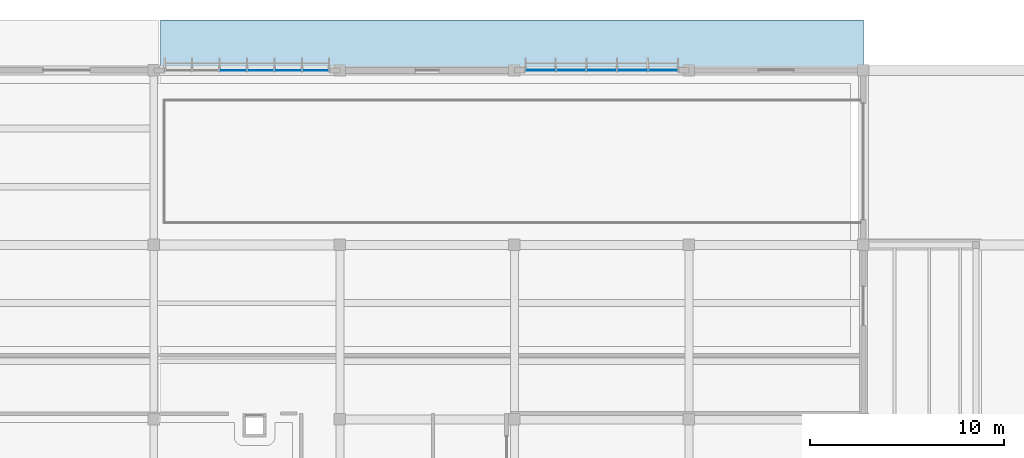
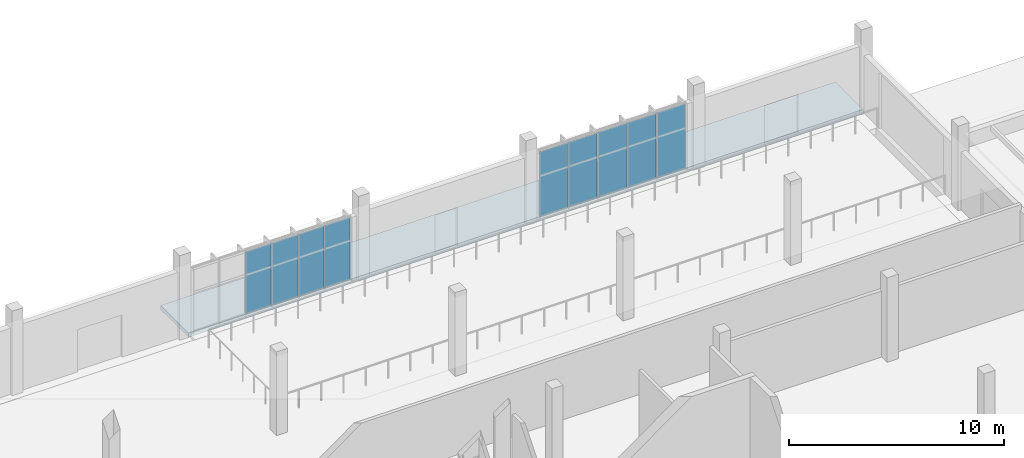
# One storey, part 113 of 151: 9 plates, 1 slab, 2 elements without a shape of their own.
"""IFC4 building model written with IfcOpenShell, lengths in metres."""

from ifc_helpers import new_model, si_unit, direction, frame, origin, origin_2d, place, context, subcontext, project, spatial, polyline, rectangle, outline, extrude, material, layer, layer_set, type_object, element, aggregate, save


model = new_model("IFC4")

# Units and contexts
model_context = context("Model", 3, precision=1e-05, world=origin(), true_north=direction((0.0, 1.0)))
body_context = subcontext(model_context, "Body", "Model", "MODEL_VIEW")
ifc_project = project(units=[si_unit("LENGTHUNIT", "METRE"), si_unit("AREAUNIT", "SQUARE_METRE"), si_unit("VOLUMEUNIT", "CUBIC_METRE"), si_unit("PLANEANGLEUNIT", "RADIAN"), si_unit("MASSUNIT", "GRAM", prefix="KILO")], contexts=[model_context])

# Site, building, storey
site_placement = place(None, origin())
site = spatial("IfcSite", under=ifc_project, at=site_placement, CompositionType="ELEMENT")
building_placement = place(site_placement, origin())
building = spatial("IfcBuilding", under=site, at=building_placement, Name="Chiffa Square Polytechnic", CompositionType="ELEMENT")
storey_placement = place(building_placement, origin())
storey = spatial("IfcBuildingStorey", under=building, at=storey_placement, Name="L00", CompositionType="ELEMENT", Elevation=0.0)

# Curtain wall, plates
ifc_material_1 = material(Name="Aluminium EN AW-6060 T66 and glulam shading", Category="wood")
curtain_wall_type_1 = type_object("IfcCurtainWallType", Name="CW-VERT-540X440", PredefinedType="USERDEFINED", material=ifc_material_1)
curtain_wall_1_placement = place(storey_placement, origin())
curtain_wall_1 = element("IfcCurtainWall", 1, at=curtain_wall_1_placement, inside=storey, type_object=curtain_wall_type_1, Name="Curtain wall CW-V5-L00-191", ObjectType="CURTAIN WALL", PredefinedType="USERDEFINED")
ifc_material_2 = material(Name="Double glazing", Category="glass")
ifc_layer_1 = layer(ifc_material_2, 0.0458984375, Name="Double glazing")
ifc_layer_set_1 = layer_set([ifc_layer_1], Name="Double glazing")
plate_type_1 = type_object("IfcPlateType", Name="CWP-GLZ-128X106", PredefinedType="CURTAIN_PANEL", material=ifc_layer_set_1)
plate_1_placement = place(storey_placement, frame((137.85693359375, 130.800048828125, 0.04931640625), z_axis=(0.0, 0.0, 1.0), x_axis=(-1.0, 0.0, 0.0)))
plate_1 = element("IfcPlate", 2, at=plate_1_placement, type_object=plate_type_1, Name="Glazed curtain panel CW-V5-L00-191-PN01", PredefinedType="CURTAIN_PANEL", context=body_context, shape_type="SweptSolid", body=[
    extrude(rectangle(XDim=1.510009765625, YDim=0.0458984375, at=origin_2d()), origin(), (0.0, 0.0, 1.0), 3.655029296875),
])
plate_2_placement = place(storey_placement, frame((136.283935546875, 130.800048828125, 0.04931640625), z_axis=(0.0, 0.0, 1.0), x_axis=(-1.0, 0.0, 0.0)))
plate_2 = element("IfcPlate", 3, at=plate_2_placement, type_object=plate_type_1, Name="Glazed curtain panel CW-V5-L00-191-PN02", PredefinedType="CURTAIN_PANEL", context=body_context, shape_type="SweptSolid", body=[
    extrude(rectangle(XDim=1.531982421875, YDim=0.0458984375, at=origin_2d()), origin(), (0.0, 0.0, 1.0), 3.655029296875),
])
plate_3_placement = place(storey_placement, frame((134.699951171875, 130.800048828125, 0.04931640625), z_axis=(0.0, 0.0, 1.0), x_axis=(-1.0, 0.0, 0.0)))
plate_3 = element("IfcPlate", 4, at=plate_3_placement, type_object=plate_type_1, Name="Glazed curtain panel CW-V5-L00-191-PN03", PredefinedType="CURTAIN_PANEL", context=body_context, shape_type="SweptSolid", body=[
    extrude(rectangle(XDim=1.531982421875, YDim=0.0458984375, at=origin_2d()), origin(), (0.0, 0.0, 1.0), 3.655029296875),
])
plate_4_placement = place(storey_placement, frame((133.115966796875, 130.800048828125, 0.04931640625), z_axis=(0.0, 0.0, 1.0), x_axis=(-1.0, 0.0, 0.0)))
plate_4 = element("IfcPlate", 5, at=plate_4_placement, type_object=plate_type_1, Name="Glazed curtain panel CW-V5-L00-191-PN04", PredefinedType="CURTAIN_PANEL", context=body_context, shape_type="SweptSolid", body=[
    extrude(rectangle(XDim=1.531982421875, YDim=0.0458984375, at=origin_2d()), origin(), (0.0, 0.0, 1.0), 3.655029296875),
])
plate_5_placement = place(storey_placement, frame((131.54296875, 130.800048828125, 0.04931640625), z_axis=(0.0, 0.0, 1.0), x_axis=(-1.0, 0.0, 0.0)))
plate_5 = element("IfcPlate", 6, at=plate_5_placement, type_object=plate_type_1, Name="Glazed curtain panel CW-V5-L00-191-PN05", PredefinedType="CURTAIN_PANEL", context=body_context, shape_type="SweptSolid", body=[
    extrude(rectangle(XDim=1.510009765625, YDim=0.0458984375, at=origin_2d()), origin(), (0.0, 0.0, 1.0), 3.655029296875),
])
aggregate(curtain_wall_1, [plate_1, plate_2, plate_3, plate_4, plate_5])

curtain_wall_type_2 = type_object("IfcCurtainWallType", Name="CW-VERT-450X440", PredefinedType="USERDEFINED", material=ifc_material_1)
curtain_wall_2_placement = place(storey_placement, origin())
curtain_wall_2 = element("IfcCurtainWall", 7, at=curtain_wall_2_placement, inside=storey, type_object=curtain_wall_type_2, Name="Curtain wall CW-V5-L00-192", ObjectType="CURTAIN WALL", PredefinedType="USERDEFINED")
ifc_layer_2 = layer(ifc_material_2, 0.035888671875, Name="Double glazing")
ifc_layer_set_2 = layer_set([ifc_layer_2], Name="Double glazing")
plate_type_2 = type_object("IfcPlateType", Name="CWP-GLZ-150X145", PredefinedType="CURTAIN_PANEL", material=ifc_layer_set_2)
plate_6_placement = place(storey_placement, frame((119.93896484375, 130.800048828125, 0.049560546875), z_axis=(0.0, 0.0, 1.0), x_axis=(-1.0, 0.0, 0.0)))
plate_6 = element("IfcPlate", 8, at=plate_6_placement, type_object=plate_type_2, Name="Glazed curtain panel CW-V5-L00-192-PN01", PredefinedType="CURTAIN_PANEL", context=body_context, shape_type="SweptSolid", body=[
    extrude(rectangle(XDim=1.345947265625, YDim=0.035888671875, at=origin_2d()), origin(), (0.0, 0.0, 1.0), 3.5048828125),
])
plate_7_placement = place(storey_placement, frame((118.530029296875, 130.800048828125, 0.049560546875), z_axis=(0.0, 0.0, 1.0), x_axis=(-1.0, 0.0, 0.0)))
plate_7 = element("IfcPlate", 9, at=plate_7_placement, type_object=plate_type_2, Name="Glazed curtain panel CW-V5-L00-192-PN02", PredefinedType="CURTAIN_PANEL", context=body_context, shape_type="SweptSolid", body=[
    extrude(rectangle(XDim=1.367919921875, YDim=0.035888671875, at=origin_2d()), origin(), (0.0, 0.0, 1.0), 3.5048828125),
])
plate_8_placement = place(storey_placement, frame((117.110107421875, 130.800048828125, 0.049560546875), z_axis=(0.0, 0.0, 1.0), x_axis=(-1.0, 0.0, 0.0)))
plate_8 = element("IfcPlate", 10, at=plate_8_placement, type_object=plate_type_2, Name="Glazed curtain panel CW-V5-L00-192-PN03", PredefinedType="CURTAIN_PANEL", context=body_context, shape_type="SweptSolid", body=[
    extrude(rectangle(XDim=1.367919921875, YDim=0.035888671875, at=origin_2d()), origin(), (0.0, 0.0, 1.0), 3.5048828125),
])
plate_9_placement = place(storey_placement, frame((115.68994140625, 130.800048828125, 0.049560546875), z_axis=(0.0, 0.0, 1.0), x_axis=(-1.0, 0.0, 0.0)))
plate_9 = element("IfcPlate", 11, at=plate_9_placement, type_object=plate_type_2, Name="Glazed curtain panel CW-V5-L00-192-PN04", PredefinedType="CURTAIN_PANEL", context=body_context, shape_type="SweptSolid", body=[
    extrude(rectangle(XDim=1.367919921875, YDim=0.035888671875, at=origin_2d()), origin(), (0.0, 0.0, 1.0), 3.5048828125),
])
aggregate(curtain_wall_2, [plate_6, plate_7, plate_8, plate_9])

# Slab
ifc_material_3 = material(Name="Limestone paving on compacted sub-base", Category="masonry")
ifc_layer_3 = layer(ifc_material_3, 0.239990234375, Name="Limestone paving on compacted sub-base")
ifc_layer_set_3 = layer_set([ifc_layer_3], Name="Limestone paving on compacted sub-base")
slab_type = type_object("IfcSlabType", Name="SLB-APRON-BASE-240", PredefinedType="FLOOR", material=ifc_layer_set_3)
slab_placement = place(storey_placement, frame((0.0, 0.0, -0.239990234375)))
element("IfcSlab", 12, at=slab_placement, inside=storey, type_object=slab_type, Name="Exterior colonnade and yard apron SLB-APRON-V5-N-3", PredefinedType="FLOOR", context=body_context, shape_type="SweptSolid", body=[
    extrude(outline(polyline([(148.199951171875, 130.81201171875), (111.949951171875, 130.81201171875), (111.949951171875, 133.39990234375), (148.199951171875, 133.39990234375), (148.199951171875, 130.81201171875)])), origin(), (0.0, 0.0, 1.0), 0.239990234375),
])

save(model, "model.ifc")
